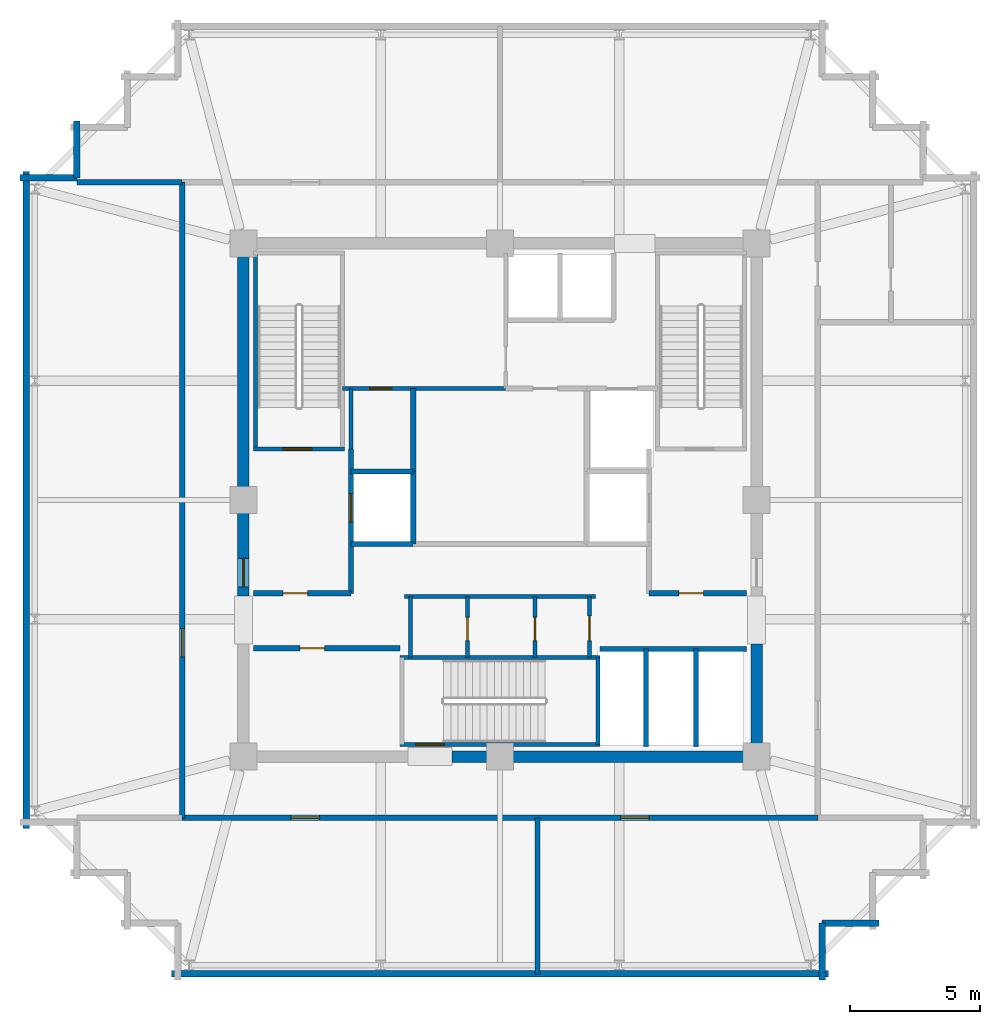
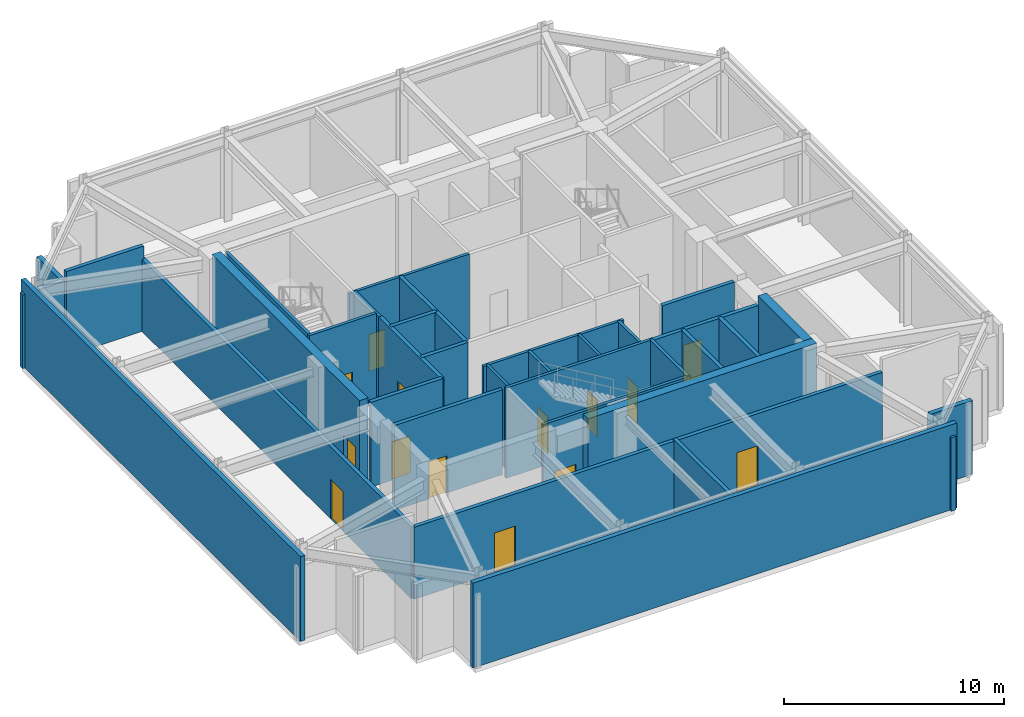
# One storey, part 2 of 5: 36 walls, 14 doors, 14 openings.
"""IFC4 building model written with IfcOpenShell, lengths in metres."""

from ifc_helpers import new_model, si_unit, direction, frame, frame_2d, origin, place, context, subcontext, project, spatial, rectangle, extrude, material, layer, layer_set, type_object, element, fill, save


model = new_model("IFC4")

# Units and contexts
model_context = context("Model", 3, precision=1e-05, world=origin(), true_north=direction((0.0, 1.0)))
body_context = subcontext(model_context, "Body", "Model", "MODEL_VIEW")
ifc_project = project(units=[si_unit("LENGTHUNIT", "METRE"), si_unit("AREAUNIT", "SQUARE_METRE"), si_unit("VOLUMEUNIT", "CUBIC_METRE"), si_unit("PLANEANGLEUNIT", "RADIAN"), si_unit("MASSUNIT", "GRAM", prefix="KILO")], contexts=[model_context])

# Site, building, storey
site_placement = place(None, origin())
site = spatial("IfcSite", under=ifc_project, at=site_placement, CompositionType="ELEMENT")
building_placement = place(site_placement, origin())
building = spatial("IfcBuilding", under=site, at=building_placement, Name="Kolvaren Belvedere", CompositionType="ELEMENT")
storey_placement = place(building_placement, frame((0.0, 0.0, 272.39990234375)))
storey = spatial("IfcBuildingStorey", under=building, at=storey_placement, Name="L78", CompositionType="ELEMENT", Elevation=272.39990234375)

# Walls
ifc_material_1 = material(Name="Concrete C50/60", Category="concrete")
ifc_layer_1 = layer(ifc_material_1, 0.449951171875)
ifc_layer_set_1 = layer_set([ifc_layer_1], Name="Concrete C50/60")
wall_type_1 = type_object("IfcWallType", Name="CW-CORE-450", PredefinedType="SHEAR", material=ifc_layer_set_1)
wall_1_placement = place(storey_placement, frame((10.125, -9.89990234375, 0.0), z_axis=(0.0, 0.0, 1.0), x_axis=(-1.0, 0.0, 0.0)))
element("IfcWall", 1, at=wall_1_placement, inside=storey, type_object=wall_type_1, Name="L78 South Core Shear Wall 1", PredefinedType="SHEAR", context=body_context, shape_type="SweptSolid", body=[
    extrude(rectangle(XDim=11.985107421875, YDim=0.449951171875, at=frame_2d((5.99267578125, 0.0))), origin(), (0.0, 0.0, 1.0), 5.0),
])
wall_2_placement = place(storey_placement, frame((9.89990234375, -9.675048828125, 0.0), z_axis=(0.0, 0.0, 1.0), x_axis=(0.0, 1.0, 0.0)))
element("IfcWall", 2, at=wall_2_placement, inside=storey, type_object=wall_type_1, Name="L78 East Core Shear Wall 1", PredefinedType="SHEAR", context=body_context, shape_type="SweptSolid", body=[
    extrude(rectangle(XDim=4.125, YDim=0.449951171875, at=frame_2d((2.0625, 0.0))), origin(), (0.0, 0.0, 1.0), 5.0),
])

# Wall, opening, door
wall_3_placement = place(storey_placement, frame((-9.89990234375, -3.699951171875, 0.0), z_axis=(0.0, 0.0, 1.0), x_axis=(0.0, 1.0, 0.0)))
wall_3 = element("IfcWall", 3, at=wall_3_placement, inside=storey, type_object=wall_type_1, Name="L78 West Core Shear Wall 2", PredefinedType="SHEAR", context=body_context, shape_type="SweptSolid", body=[
    extrude(rectangle(XDim=13.375, YDim=0.449951171875, at=frame_2d((6.6875, 0.0))), origin(), (0.0, 0.0, 1.0), 5.0),
])
opening_1_placement = place(wall_3_placement, frame((0.35009765625, 0.0, 0.0)))
opening_1 = element("IfcOpeningElement", 4, at=opening_1_placement, cuts=wall_3, Name="Opening D-FD90", PredefinedType="OPENING", context=body_context, shape_type="SweptSolid", body=[
    extrude(rectangle(XDim=1.10009765625, YDim=2.199951171875, at=frame_2d((0.550048828125, 1.10009765625))), frame((0.0, 0.23486328125, 0.0), z_axis=(0.0, -1.0, 0.0), x_axis=(1.0, 0.0, 0.0)), (0.0, 0.0, 1.0), 0.469970703125),
])
ifc_material_2 = material(Name="Painted hollow stainless steel", Category="steel")
door_type_1 = type_object("IfcDoorType", Name="DR-FD90-1100", OperationType="NOTDEFINED", PredefinedType="DOOR", material=ifc_material_2)
door_1_placement = place(opening_1_placement, origin())
door_1 = element("IfcDoor", 5, at=door_1_placement, inside=storey, type_object=door_type_1, Name="L78 West Firefighting Lobby Fire Door", OperationType="SINGLE_SWING_LEFT", OverallHeight=2.199951171875, OverallWidth=1.10009765625, PredefinedType="DOOR", context=body_context, shape_type="SweptSolid", body=[
    extrude(rectangle(XDim=1.10009765625, YDim=2.199951171875, at=frame_2d((0.550048828125, 1.10009765625))), frame((0.0, 0.02490234375, 0.0), z_axis=(0.0, -1.0, 0.0), x_axis=(1.0, 0.0, 0.0)), (0.0, 0.0, 1.0), 0.050048828125),
])
fill(opening_1, door_1)

ifc_material_3 = material(Name="Concrete C50/60", Category="concrete")
ifc_layer_2 = layer(ifc_material_3, 0.159912109375)
ifc_layer_set_2 = layer_set([ifc_layer_2], Name="Concrete C50/60")
wall_type_2 = type_object("IfcWallType", Name="CW-STAIR-160", PredefinedType="SHEAR", material=ifc_layer_set_2)
wall_4_placement = place(storey_placement, frame((-9.52001953125, 1.969970703125, 0.0), z_axis=(0.0, 0.0, 1.0), x_axis=(1.0, 0.0, 0.0)))
wall_4 = element("IfcWall", 6, at=wall_4_placement, inside=storey, type_object=wall_type_2, Name="L78 Stair ST-1 South Shear Wall", PredefinedType="SHEAR", context=body_context, shape_type="SweptSolid", body=[
    extrude(rectangle(XDim=3.52001953125, YDim=0.159912109375, at=frame_2d((1.760009765625, 0.0))), origin(), (0.0, 0.0, 1.0), 5.0),
])
opening_2_placement = place(wall_4_placement, frame((1.14990234375, 0.0, 0.0)))
opening_2 = element("IfcOpeningElement", 7, at=opening_2_placement, cuts=wall_4, Name="Opening D-FD90", PredefinedType="OPENING", context=body_context, shape_type="SweptSolid", body=[
    extrude(rectangle(XDim=1.10009765625, YDim=2.199951171875, at=frame_2d((0.550048828125, 1.10009765625))), frame((0.0, 0.08984375, 0.0), z_axis=(0.0, -1.0, 0.0), x_axis=(1.0, 0.0, 0.0)), (0.0, 0.0, 1.0), 0.179931640625),
])
door_2_placement = place(opening_2_placement, origin())
door_2 = element("IfcDoor", 8, at=door_2_placement, inside=storey, type_object=door_type_1, Name="L78 Stair ST-1 Fire Door", OperationType="SINGLE_SWING_LEFT", OverallHeight=2.199951171875, OverallWidth=1.10009765625, PredefinedType="DOOR", context=body_context, shape_type="SweptSolid", body=[
    extrude(rectangle(XDim=1.10009765625, YDim=2.199951171875, at=frame_2d((0.550048828125, 1.10009765625))), frame((0.0, 0.02490234375, 0.0), z_axis=(0.0, -1.0, 0.0), x_axis=(1.0, 0.0, 0.0)), (0.0, 0.0, 1.0), 0.050048828125),
])
fill(opening_2, door_2)

# Wall
wall_5_placement = place(storey_placement, frame((-9.429931640625, 1.969970703125, 0.0), z_axis=(0.0, 0.0, 1.0), x_axis=(0.0, 1.0, 0.0)))
element("IfcWall", 9, at=wall_5_placement, inside=storey, type_object=wall_type_2, Name="L78 Stair ST-1 West Shear Wall", PredefinedType="SHEAR", context=body_context, shape_type="SweptSolid", body=[
    extrude(rectangle(XDim=7.56005859375, YDim=0.159912109375, at=frame_2d((3.780029296875, 0.0))), origin(), (0.0, 0.0, 1.0), 5.0),
])

# Wall, opening, door
wall_6_placement = place(storey_placement, frame((3.860107421875, -9.429931640625, 0.0), z_axis=(0.0, 0.0, 1.0), x_axis=(-1.0, 0.0, 0.0)))
wall_6 = element("IfcWall", 10, at=wall_6_placement, inside=storey, type_object=wall_type_2, Name="L78 Stair ST-3 South Shear Wall", PredefinedType="SHEAR", context=body_context, shape_type="SweptSolid", body=[
    extrude(rectangle(XDim=7.72021484375, YDim=0.159912109375, at=frame_2d((3.860107421875, 0.0))), origin(), (0.0, 0.0, 1.0), 5.0),
])
opening_3_placement = place(wall_6_placement, frame((6.010009765625, 0.0, 0.0)))
opening_3 = element("IfcOpeningElement", 11, at=opening_3_placement, cuts=wall_6, Name="Opening D-FD90", PredefinedType="OPENING", context=body_context, shape_type="SweptSolid", body=[
    extrude(rectangle(XDim=1.10009765625, YDim=2.199951171875, at=frame_2d((0.550048828125, 1.10009765625))), frame((0.0, 0.08984375, 0.0), z_axis=(0.0, -1.0, 0.0), x_axis=(1.0, 0.0, 0.0)), (0.0, 0.0, 1.0), 0.179931640625),
])
door_3_placement = place(opening_3_placement, origin())
door_3 = element("IfcDoor", 12, at=door_3_placement, inside=storey, type_object=door_type_1, Name="L78 Stair ST-3 Exit Door", OperationType="SINGLE_SWING_RIGHT", OverallHeight=2.199951171875, OverallWidth=1.10009765625, PredefinedType="DOOR", context=body_context, shape_type="SweptSolid", body=[
    extrude(rectangle(XDim=1.10009765625, YDim=2.199951171875, at=frame_2d((0.550048828125, 1.10009765625))), frame((0.0, 0.02490234375, 0.0), z_axis=(0.0, -1.0, 0.0), x_axis=(1.0, 0.0, 0.0)), (0.0, 0.0, 1.0), 0.050048828125),
])
fill(opening_3, door_3)

# Walls
wall_7_placement = place(storey_placement, frame((-3.860107421875, -6.080078125, 0.0), z_axis=(0.0, 0.0, 1.0), x_axis=(1.0, 0.0, 0.0)))
element("IfcWall", 13, at=wall_7_placement, inside=storey, type_object=wall_type_2, Name="L78 Stair ST-3 North Shear Wall", PredefinedType="SHEAR", context=body_context, shape_type="SweptSolid", body=[
    extrude(rectangle(XDim=7.72021484375, YDim=0.159912109375, at=frame_2d((3.860107421875, 0.0))), origin(), (0.0, 0.0, 1.0), 5.0),
])
wall_8_placement = place(storey_placement, frame((3.780029296875, -9.429931640625, 0.0), z_axis=(0.0, 0.0, 1.0), x_axis=(0.0, 1.0, 0.0)))
element("IfcWall", 14, at=wall_8_placement, inside=storey, type_object=wall_type_2, Name="L78 Stair ST-3 East Shear Wall", PredefinedType="SHEAR", context=body_context, shape_type="SweptSolid", body=[
    extrude(rectangle(XDim=3.349853515625, YDim=0.159912109375, at=frame_2d((1.6748046875, 0.0))), origin(), (0.0, 0.0, 1.0), 5.0),
])
ifc_material_4 = material(Name="Insulated acoustic pale-metal louvre wall", Category="aluminium")
ifc_layer_3 = layer(ifc_material_4, 0.239990234375)
ifc_layer_set_3 = layer_set([ifc_layer_3], Name="Insulated acoustic pale-metal louvre wall")
wall_type_3 = type_object("IfcWallType", Name="WL-LOUV-240", PredefinedType="STANDARD", material=ifc_layer_set_3)
wall_9_placement = place(storey_placement, frame((12.669921875, -18.280029296875, 0.0), z_axis=(0.0, 0.0, 1.0), x_axis=(-1.0, 0.0, 0.0)))
element("IfcWall", 15, at=wall_9_placement, inside=storey, type_object=wall_type_3, Name="L78 Acoustic Louvre Facade Wall 1", PredefinedType="STANDARD", context=body_context, shape_type="SweptSolid", body=[
    extrude(rectangle(XDim=25.33984375, YDim=0.239990234375, at=frame_2d((12.669921875, 0.0))), origin(), (0.0, 0.0, 1.0), 4.7001953125),
])
wall_10_placement = place(storey_placement, frame((12.429931640625, -16.330078125, 0.0), z_axis=(0.0, 0.0, 1.0), x_axis=(0.0, -1.0, 0.0)))
element("IfcWall", 16, at=wall_10_placement, inside=storey, type_object=wall_type_3, Name="L78 Acoustic Louvre Facade Wall 2", PredefinedType="STANDARD", context=body_context, shape_type="SweptSolid", body=[
    extrude(rectangle(XDim=2.18994140625, YDim=0.239990234375, at=frame_2d((1.094970703125, 0.0))), origin(), (0.0, 0.0, 1.0), 4.0830078125),
])
for number, where, z_axis, x_axis, name in (
    (17, (14.6201171875, -16.330078125, 0.0), (0.0, 0.0, 1.0), (-1.0, 0.0, 0.0), "L78 Acoustic Louvre Facade Wall 3"),
    (18, (-16.330078125, 12.429931640625, 0.0), (0.0, 0.0, 1.0), (0.0, 1.0, 0.0), "L78 Acoustic Louvre Facade Wall 20"),
):
    element("IfcWall", number, at=place(storey_placement, frame(where, z_axis=z_axis, x_axis=x_axis)), inside=storey, type_object=wall_type_3, Name=name, PredefinedType="STANDARD", context=body_context, shape_type="SweptSolid", body=[
        extrude(rectangle(XDim=2.190185546875, YDim=0.239990234375, at=frame_2d((1.09521484375, 0.0))), origin(), (0.0, 0.0, 1.0), 4.0830078125),
    ])
wall_11_placement = place(storey_placement, frame((-18.52001953125, 12.429931640625, 0.0), z_axis=(0.0, 0.0, 1.0), x_axis=(1.0, 0.0, 0.0)))
element("IfcWall", 19, at=wall_11_placement, inside=storey, type_object=wall_type_3, Name="L78 Acoustic Louvre Facade Wall 21", PredefinedType="STANDARD", context=body_context, shape_type="SweptSolid", body=[
    extrude(rectangle(XDim=2.18994140625, YDim=0.239990234375, at=frame_2d((1.094970703125, 0.0))), origin(), (0.0, 0.0, 1.0), 4.0830078125),
])
wall_12_placement = place(storey_placement, frame((-18.280029296875, -12.669921875, 0.0), z_axis=(0.0, 0.0, 1.0), x_axis=(0.0, 1.0, 0.0)))
element("IfcWall", 20, at=wall_12_placement, inside=storey, type_object=wall_type_3, Name="L78 Acoustic Louvre Facade Wall 22", PredefinedType="STANDARD", context=body_context, shape_type="SweptSolid", body=[
    extrude(rectangle(XDim=25.33984375, YDim=0.239990234375, at=frame_2d((12.669921875, 0.0))), origin(), (0.0, 0.0, 1.0), 4.7001953125),
])

# Wall, opening, door
ifc_material_5 = material(Name="Gypsum acoustic partition assembly", Category="gypsum")
ifc_layer_4 = layer(ifc_material_5, 0.14990234375)
ifc_layer_set_4 = layer_set([ifc_layer_4], Name="Gypsum acoustic partition assembly")
wall_type_4 = type_object("IfcWallType", Name="WL-PART-150", PredefinedType="PARTITIONING", material=ifc_layer_set_4)
wall_13_placement = place(storey_placement, frame((-6.080078125, 4.300048828125, 0.0), z_axis=(0.0, 0.0, 1.0), x_axis=(1.0, 0.0, 0.0)))
wall_13 = element("IfcWall", 21, at=wall_13_placement, inside=storey, type_object=wall_type_4, Name="L78 Reclaimed Salon South Wall", PredefinedType="PARTITIONING", context=body_context, shape_type="SweptSolid", body=[
    extrude(rectangle(XDim=6.300048828125, YDim=0.14990234375, at=frame_2d((3.14990234375, 0.0))), origin(), (0.0, 0.0, 1.0), 4.7001953125),
])
opening_4_placement = place(wall_13_placement, frame((1.050048828125, 0.0, 0.0)))
opening_4 = element("IfcOpeningElement", 22, at=opening_4_placement, cuts=wall_13, Name="Opening D-INT85", PredefinedType="OPENING", context=body_context, shape_type="SweptSolid", body=[
    extrude(rectangle(XDim=0.85009765625, YDim=2.030029296875, at=frame_2d((0.425048828125, 1.01513671875))), frame((0.0, 0.0849609375, 0.0), z_axis=(0.0, -1.0, 0.0), x_axis=(1.0, 0.0, 0.0)), (0.0, 0.0, 1.0), 0.169921875),
])
ifc_material_6 = material(Name="Stained Pacific white oak", Category="timber")
door_type_2 = type_object("IfcDoorType", Name="DR-INT-850", OperationType="NOTDEFINED", PredefinedType="DOOR", material=ifc_material_6)
door_4_placement = place(opening_4_placement, origin())
door_4 = element("IfcDoor", 23, at=door_4_placement, inside=storey, type_object=door_type_2, Name="L78 NW Core Store Door", OperationType="SINGLE_SWING_RIGHT", OverallHeight=2.030029296875, OverallWidth=0.85009765625, PredefinedType="DOOR", context=body_context, shape_type="SweptSolid", body=[
    extrude(rectangle(XDim=0.85009765625, YDim=2.030029296875, at=frame_2d((0.425048828125, 1.01513671875))), frame((0.0, 0.02490234375, 0.0), z_axis=(0.0, -1.0, 0.0), x_axis=(1.0, 0.0, 0.0)), (0.0, 0.0, 1.0), 0.050048828125),
])
fill(opening_4, door_4)

# Wall
wall_14_placement = place(storey_placement, frame((-3.679931640625, -3.719970703125, 0.0), z_axis=(0.0, 0.0, 1.0), x_axis=(1.0, 0.0, 0.0)))
element("IfcWall", 24, at=wall_14_placement, inside=storey, type_object=wall_type_4, Name="L78 South Core Service North Wall", PredefinedType="PARTITIONING", context=body_context, shape_type="SweptSolid", body=[
    extrude(rectangle(XDim=7.35986328125, YDim=0.14990234375, at=frame_2d((3.679931640625, 0.0))), origin(), (0.0, 0.0, 1.0), 4.7001953125),
])

# Wall, opening, door
wall_15_placement = place(storey_placement, frame((3.449951171875, -6.080078125, 0.0), z_axis=(0.0, 0.0, 1.0), x_axis=(0.0, 1.0, 0.0)))
wall_15 = element("IfcWall", 25, at=wall_15_placement, inside=storey, type_object=wall_type_4, Name="L78 South Core Service East Wall", PredefinedType="PARTITIONING", context=body_context, shape_type="SweptSolid", body=[
    extrude(rectangle(XDim=2.360107421875, YDim=0.14990234375, at=frame_2d((1.18017578125, 0.0))), origin(), (0.0, 0.0, 1.0), 4.7001953125),
])
opening_5_placement = place(wall_15_placement, frame((0.64990234375, 0.0, 0.0)))
opening_5 = element("IfcOpeningElement", 26, at=opening_5_placement, cuts=wall_15, Name="Opening D-FD60", PredefinedType="OPENING", context=body_context, shape_type="SweptSolid", body=[
    extrude(rectangle(XDim=0.949951171875, YDim=2.06005859375, at=frame_2d((0.47509765625, 1.030029296875))), frame((0.0, 0.0849609375, 0.0), z_axis=(0.0, -1.0, 0.0), x_axis=(1.0, 0.0, 0.0)), (0.0, 0.0, 1.0), 0.169921875),
])
ifc_material_7 = material(Name="Acoustic white-oak fire door leaf", Category="timber")
door_type_3 = type_object("IfcDoorType", Name="DR-FD60-950", OperationType="NOTDEFINED", PredefinedType="DOOR", material=ifc_material_7)
door_5_placement = place(opening_5_placement, origin())
door_5 = element("IfcDoor", 27, at=door_5_placement, inside=storey, type_object=door_type_3, Name="L78 Core Service Room Door", OperationType="SINGLE_SWING_LEFT", OverallHeight=2.06005859375, OverallWidth=0.949951171875, PredefinedType="DOOR", context=body_context, shape_type="SweptSolid", body=[
    extrude(rectangle(XDim=0.949951171875, YDim=2.06005859375, at=frame_2d((0.47509765625, 1.030029296875))), frame((0.0, 0.02490234375, 0.0), z_axis=(0.0, -1.0, 0.0), x_axis=(1.0, 0.0, 0.0)), (0.0, 0.0, 1.0), 0.050048828125),
])
fill(opening_5, door_5)

# Wall
wall_16_placement = place(storey_placement, frame((-3.449951171875, -6.080078125, 0.0), z_axis=(0.0, 0.0, 1.0), x_axis=(0.0, 1.0, 0.0)))
element("IfcWall", 28, at=wall_16_placement, inside=storey, type_object=wall_type_4, Name="L78 South Core Service West Wall", PredefinedType="PARTITIONING", context=body_context, shape_type="SweptSolid", body=[
    extrude(rectangle(XDim=2.360107421875, YDim=0.14990234375, at=frame_2d((1.18017578125, 0.0))), origin(), (0.0, 0.0, 1.0), 4.7001953125),
])

# Wall, opening, door
wall_17_placement = place(storey_placement, frame((1.35009765625, -6.080078125, 0.0), z_axis=(0.0, 0.0, 1.0), x_axis=(0.0, 1.0, 0.0)))
wall_17 = element("IfcWall", 29, at=wall_17_placement, inside=storey, type_object=wall_type_4, Name="L78 Core Service Divider 1", PredefinedType="PARTITIONING", context=body_context, shape_type="SweptSolid", body=[
    extrude(rectangle(XDim=2.360107421875, YDim=0.14990234375, at=frame_2d((1.18017578125, 0.0))), origin(), (0.0, 0.0, 1.0), 4.7001953125),
])
opening_6_placement = place(wall_17_placement, frame((0.64990234375, 0.0, 0.0)))
opening_6 = element("IfcOpeningElement", 30, at=opening_6_placement, cuts=wall_17, Name="Opening D-INT90", PredefinedType="OPENING", context=body_context, shape_type="SweptSolid", body=[
    extrude(rectangle(XDim=0.89990234375, YDim=2.06005859375, at=frame_2d((0.449951171875, 1.030029296875))), frame((0.0, 0.0849609375, 0.0), z_axis=(0.0, -1.0, 0.0), x_axis=(1.0, 0.0, 0.0)), (0.0, 0.0, 1.0), 0.169921875),
])
ifc_material_8 = material(Name="Stained Pacific white oak", Category="timber")
door_type_4 = type_object("IfcDoorType", Name="DR-INT-900", OperationType="NOTDEFINED", PredefinedType="DOOR", material=ifc_material_8)
door_6_placement = place(opening_6_placement, origin())
door_6 = element("IfcDoor", 31, at=door_6_placement, inside=storey, type_object=door_type_4, Name="L78 Data Closet Door", OperationType="SINGLE_SWING_RIGHT", OverallHeight=2.06005859375, OverallWidth=0.89990234375, PredefinedType="DOOR", context=body_context, shape_type="SweptSolid", body=[
    extrude(rectangle(XDim=0.89990234375, YDim=2.06005859375, at=frame_2d((0.449951171875, 1.030029296875))), frame((0.0, 0.02490234375, 0.0), z_axis=(0.0, -1.0, 0.0), x_axis=(1.0, 0.0, 0.0)), (0.0, 0.0, 1.0), 0.050048828125),
])
fill(opening_6, door_6)

wall_18_placement = place(storey_placement, frame((-1.25, -6.080078125, 0.0), z_axis=(0.0, 0.0, 1.0), x_axis=(0.0, 1.0, 0.0)))
wall_18 = element("IfcWall", 32, at=wall_18_placement, inside=storey, type_object=wall_type_4, Name="L78 Core Service Divider 2", PredefinedType="PARTITIONING", context=body_context, shape_type="SweptSolid", body=[
    extrude(rectangle(XDim=2.360107421875, YDim=0.14990234375, at=frame_2d((1.18017578125, 0.0))), origin(), (0.0, 0.0, 1.0), 4.7001953125),
])
opening_7_placement = place(wall_18_placement, frame((0.64990234375, 0.0, 0.0)))
opening_7 = element("IfcOpeningElement", 33, at=opening_7_placement, cuts=wall_18, Name="Opening D-INT90", PredefinedType="OPENING", context=body_context, shape_type="SweptSolid", body=[
    extrude(rectangle(XDim=0.89990234375, YDim=2.06005859375, at=frame_2d((0.449951171875, 1.030029296875))), frame((0.0, 0.0849609375, 0.0), z_axis=(0.0, -1.0, 0.0), x_axis=(1.0, 0.0, 0.0)), (0.0, 0.0, 1.0), 0.169921875),
])
door_7_placement = place(opening_7_placement, origin())
door_7 = element("IfcDoor", 34, at=door_7_placement, inside=storey, type_object=door_type_4, Name="L78 Janitor Room Door", OperationType="SINGLE_SWING_LEFT", OverallHeight=2.06005859375, OverallWidth=0.89990234375, PredefinedType="DOOR", context=body_context, shape_type="SweptSolid", body=[
    extrude(rectangle(XDim=0.89990234375, YDim=2.06005859375, at=frame_2d((0.449951171875, 1.030029296875))), frame((0.0, 0.02490234375, 0.0), z_axis=(0.0, -1.0, 0.0), x_axis=(1.0, 0.0, 0.0)), (0.0, 0.0, 1.0), 0.050048828125),
])
fill(opening_7, door_7)

# Wall
wall_19_placement = place(storey_placement, frame((-5.75, 1.969970703125, 0.0), z_axis=(0.0, 0.0, 1.0), x_axis=(0.0, 1.0, 0.0)))
element("IfcWall", 35, at=wall_19_placement, inside=storey, type_object=wall_type_4, Name="L78 NW Service Room West Wall", PredefinedType="PARTITIONING", context=body_context, shape_type="SweptSolid", body=[
    extrude(rectangle(XDim=2.330078125, YDim=0.14990234375, at=frame_2d((1.1650390625, 0.0))), origin(), (0.0, 0.0, 1.0), 4.7001953125),
])

# Wall, opening, door
ifc_material_9 = material(Name="Concrete C50/60", Category="concrete")
ifc_layer_5 = layer(ifc_material_9, 0.199951171875)
ifc_layer_set_5 = layer_set([ifc_layer_5], Name="Concrete C50/60")
wall_type_5 = type_object("IfcWallType", Name="WL-SHAFT-200", PredefinedType="SOLIDWALL", material=ifc_layer_set_5)
wall_20_placement = place(storey_placement, frame((-9.52001953125, -3.60009765625, 0.0), z_axis=(0.0, 0.0, 1.0), x_axis=(1.0, 0.0, 0.0)))
wall_20 = element("IfcWall", 36, at=wall_20_placement, inside=storey, type_object=wall_type_5, Name="L78 West FSAE Lobby South Wall", PredefinedType="SOLIDWALL", context=body_context, shape_type="SweptSolid", body=[
    extrude(rectangle(XDim=3.77001953125, YDim=0.199951171875, at=frame_2d((1.885009765625, 0.0))), origin(), (0.0, 0.0, 1.0), 4.7001953125),
])
opening_8_placement = place(wall_20_placement, frame((1.14990234375, 0.0, 0.0)))
opening_8 = element("IfcOpeningElement", 37, at=opening_8_placement, cuts=wall_20, Name="Opening D-FD60", PredefinedType="OPENING", context=body_context, shape_type="SweptSolid", body=[
    extrude(rectangle(XDim=0.949951171875, YDim=2.06005859375, at=frame_2d((0.47509765625, 1.030029296875))), frame((0.0, 0.10986328125, 0.0), z_axis=(0.0, -1.0, 0.0), x_axis=(1.0, 0.0, 0.0)), (0.0, 0.0, 1.0), 0.219970703125),
])
door_8_placement = place(opening_8_placement, origin())
door_8 = element("IfcDoor", 38, at=door_8_placement, inside=storey, type_object=door_type_3, Name="L78 SW Lobby Fire Door", OperationType="SINGLE_SWING_LEFT", OverallHeight=2.06005859375, OverallWidth=0.949951171875, PredefinedType="DOOR", context=body_context, shape_type="SweptSolid", body=[
    extrude(rectangle(XDim=0.949951171875, YDim=2.06005859375, at=frame_2d((0.47509765625, 1.030029296875))), frame((0.0, 0.02490234375, 0.0), z_axis=(0.0, -1.0, 0.0), x_axis=(1.0, 0.0, 0.0)), (0.0, 0.0, 1.0), 0.050048828125),
])
fill(opening_8, door_8)

wall_21_placement = place(storey_placement, frame((-5.75, -3.60009765625, 0.0), z_axis=(0.0, 0.0, 1.0), x_axis=(0.0, 1.0, 0.0)))
wall_21 = element("IfcWall", 39, at=wall_21_placement, inside=storey, type_object=wall_type_5, Name="L78 FSAE FS1 Landing Wall", PredefinedType="SOLIDWALL", context=body_context, shape_type="SweptSolid", body=[
    extrude(rectangle(XDim=5.570068359375, YDim=0.199951171875, at=frame_2d((2.78515625, 0.0))), origin(), (0.0, 0.0, 1.0), 4.7001953125),
])
opening_9_placement = place(wall_21_placement, frame((2.75, 0.0, 0.0)))
opening_9 = element("IfcOpeningElement", 40, at=opening_9_placement, cuts=wall_21, Name="Opening LD-11", PredefinedType="OPENING", context=body_context, shape_type="SweptSolid", body=[
    extrude(rectangle(XDim=1.10009765625, YDim=2.199951171875, at=frame_2d((0.550048828125, 1.10009765625))), frame((0.0, 0.10986328125, 0.0), z_axis=(0.0, -1.0, 0.0), x_axis=(1.0, 0.0, 0.0)), (0.0, 0.0, 1.0), 0.219970703125),
])
ifc_material_10 = material(Name="Brushed stainless steel", Category="steel")
door_type_5 = type_object("IfcDoorType", Name="DR-LIFT-1100", OperationType="DOUBLE_DOOR_SLIDING", PredefinedType="DOOR", material=ifc_material_10)
door_9_placement = place(opening_9_placement, origin())
door_9 = element("IfcDoor", 41, at=door_9_placement, inside=storey, type_object=door_type_5, Name="L78 Firefighting Lift FS1 Landing Door", OperationType="DOUBLE_DOOR_SLIDING", OverallHeight=2.199951171875, OverallWidth=1.10009765625, PredefinedType="DOOR", context=body_context, shape_type="SweptSolid", body=[
    extrude(rectangle(XDim=1.10009765625, YDim=2.199951171875, at=frame_2d((0.550048828125, 1.10009765625))), frame((0.0, 0.02490234375, 0.0), z_axis=(0.0, -1.0, 0.0), x_axis=(1.0, 0.0, 0.0)), (0.0, 0.0, 1.0), 0.050048828125),
])
fill(opening_9, door_9)

# Walls
wall_22_placement = place(storey_placement, frame((-3.35009765625, -1.699951171875, 0.0), z_axis=(0.0, 0.0, 1.0), x_axis=(0.0, 1.0, 0.0)))
element("IfcWall", 42, at=wall_22_placement, inside=storey, type_object=wall_type_5, Name="L78 FSAE FS1 Back Wall", PredefinedType="SOLIDWALL", context=body_context, shape_type="SweptSolid", body=[
    extrude(rectangle(XDim=2.800048828125, YDim=0.199951171875, at=frame_2d((1.39990234375, 0.0))), origin(), (0.0, 0.0, 1.0), 4.7001953125),
])
for number, where, z_axis, x_axis, name in (
    (43, (-5.75, -1.699951171875, 0.0), (0.0, 0.0, 1.0), (1.0, 0.0, 0.0), "L78 FSAE FS1 South Wall"),
    (44, (-5.75, 1.10009765625, 0.0), (0.0, 0.0, 1.0), (1.0, 0.0, 0.0), "L78 FSAE FS1 North Wall"),
):
    element("IfcWall", number, at=place(storey_placement, frame(where, z_axis=z_axis, x_axis=x_axis)), inside=storey, type_object=wall_type_5, Name=name, PredefinedType="SOLIDWALL", context=body_context, shape_type="SweptSolid", body=[
        extrude(rectangle(XDim=2.39990234375, YDim=0.199951171875, at=frame_2d((1.199951171875, 0.0))), origin(), (0.0, 0.0, 1.0), 4.7001953125),
    ])

# Wall, opening, door
wall_23_placement = place(storey_placement, frame((5.75, -3.60009765625, 0.0), z_axis=(0.0, 0.0, 1.0), x_axis=(1.0, 0.0, 0.0)))
wall_23 = element("IfcWall", 45, at=wall_23_placement, inside=storey, type_object=wall_type_5, Name="L78 East FSAE Lobby South Wall", PredefinedType="SOLIDWALL", context=body_context, shape_type="SweptSolid", body=[
    extrude(rectangle(XDim=3.77001953125, YDim=0.199951171875, at=frame_2d((1.885009765625, 0.0))), origin(), (0.0, 0.0, 1.0), 4.7001953125),
])
opening_10_placement = place(wall_23_placement, frame((1.14990234375, 0.0, 0.0)))
opening_10 = element("IfcOpeningElement", 46, at=opening_10_placement, cuts=wall_23, Name="Opening D-FD60", PredefinedType="OPENING", context=body_context, shape_type="SweptSolid", body=[
    extrude(rectangle(XDim=0.949951171875, YDim=2.06005859375, at=frame_2d((0.47509765625, 1.030029296875))), frame((0.0, 0.10986328125, 0.0), z_axis=(0.0, -1.0, 0.0), x_axis=(1.0, 0.0, 0.0)), (0.0, 0.0, 1.0), 0.219970703125),
])
door_10_placement = place(opening_10_placement, origin())
door_10 = element("IfcDoor", 47, at=door_10_placement, inside=storey, type_object=door_type_3, Name="L78 SE Lift Lobby Fire Door", OperationType="SINGLE_SWING_RIGHT", OverallHeight=2.06005859375, OverallWidth=0.949951171875, PredefinedType="DOOR", context=body_context, shape_type="SweptSolid", body=[
    extrude(rectangle(XDim=0.949951171875, YDim=2.06005859375, at=frame_2d((0.47509765625, 1.030029296875))), frame((0.0, 0.02490234375, 0.0), z_axis=(0.0, -1.0, 0.0), x_axis=(1.0, 0.0, 0.0)), (0.0, 0.0, 1.0), 0.050048828125),
])
fill(opening_10, door_10)

wall_24_placement = place(storey_placement, frame((-9.52001953125, -5.719970703125, 0.0), z_axis=(0.0, 0.0, 1.0), x_axis=(1.0, 0.0, 0.0)))
wall_24 = element("IfcWall", 48, at=wall_24_placement, inside=storey, type_object=wall_type_5, Name="L78 Reclaimed Mid Room North Wall", PredefinedType="SOLIDWALL", context=body_context, shape_type="SweptSolid", body=[
    extrude(rectangle(XDim=5.659912109375, YDim=0.199951171875, at=frame_2d((2.830078125, 0.0))), origin(), (0.0, 0.0, 1.0), 4.7001953125),
])
opening_11_placement = place(wall_24_placement, frame((1.800048828125, 0.0, 0.0)))
opening_11 = element("IfcOpeningElement", 49, at=opening_11_placement, cuts=wall_24, Name="Opening D-FD60", PredefinedType="OPENING", context=body_context, shape_type="SweptSolid", body=[
    extrude(rectangle(XDim=0.949951171875, YDim=2.06005859375, at=frame_2d((0.47509765625, 1.030029296875))), frame((0.0, 0.10986328125, 0.0), z_axis=(0.0, -1.0, 0.0), x_axis=(1.0, 0.0, 0.0)), (0.0, 0.0, 1.0), 0.219970703125),
])
door_11_placement = place(opening_11_placement, origin())
door_11 = element("IfcDoor", 50, at=door_11_placement, inside=storey, type_object=door_type_3, Name="L78 Smoke Control Mechanical Plant Entry Door", OperationType="SINGLE_SWING_LEFT", OverallHeight=2.06005859375, OverallWidth=0.949951171875, PredefinedType="DOOR", context=body_context, shape_type="SweptSolid", body=[
    extrude(rectangle(XDim=0.949951171875, YDim=2.06005859375, at=frame_2d((0.47509765625, 1.030029296875))), frame((0.0, 0.02490234375, 0.0), z_axis=(0.0, -1.0, 0.0), x_axis=(1.0, 0.0, 0.0)), (0.0, 0.0, 1.0), 0.050048828125),
])
fill(opening_11, door_11)

# Walls
wall_25_placement = place(storey_placement, frame((3.860107421875, -5.75, 0.0), z_axis=(0.0, 0.0, 1.0), x_axis=(1.0, 0.0, 0.0)))
element("IfcWall", 51, at=wall_25_placement, inside=storey, type_object=wall_type_5, Name="L78 High-Rise Lift Bank Front Wall", PredefinedType="SOLIDWALL", context=body_context, shape_type="SweptSolid", body=[
    extrude(rectangle(XDim=5.659912109375, YDim=0.199951171875, at=frame_2d((2.830078125, 0.0))), origin(), (0.0, 0.0, 1.0), 4.7001953125),
])
for number, where, z_axis, x_axis, name in (
    (52, (5.6298828125, -9.52001953125, 0.0), (0.0, 0.0, 1.0), (0.0, 1.0, 0.0), "L78 High-Rise Hoistway Divider 1"),
    (53, (7.56005859375, -9.52001953125, 0.0), (0.0, 0.0, 1.0), (0.0, 1.0, 0.0), "L78 High-Rise Hoistway Divider 2"),
):
    element("IfcWall", number, at=place(storey_placement, frame(where, z_axis=z_axis, x_axis=x_axis)), inside=storey, type_object=wall_type_5, Name=name, PredefinedType="SOLIDWALL", context=body_context, shape_type="SweptSolid", body=[
        extrude(rectangle(XDim=3.77001953125, YDim=0.199951171875, at=frame_2d((1.885009765625, 0.0))), origin(), (0.0, 0.0, 1.0), 4.7001953125),
    ])
wall_26_placement = place(storey_placement, frame((-3.35009765625, 1.10009765625, 0.0), z_axis=(0.0, 0.0, 1.0), x_axis=(0.0, 1.0, 0.0)))
element("IfcWall", 54, at=wall_26_placement, inside=storey, type_object=wall_type_5, Name="L78 Central Core Room West Wall", PredefinedType="SOLIDWALL", context=body_context, shape_type="SweptSolid", body=[
    extrude(rectangle(XDim=3.199951171875, YDim=0.199951171875, at=frame_2d((1.60009765625, 0.0))), origin(), (0.0, 0.0, 1.0), 4.7001953125),
])

# Wall, openings, doors
wall_27_placement = place(storey_placement, frame((-12.260009765625, -12.260009765625, 0.0), z_axis=(0.0, 0.0, 1.0), x_axis=(1.0, 0.0, 0.0)))
wall_27 = element("IfcWall", 55, at=wall_27_placement, inside=storey, type_object=wall_type_5, Name="L78 South Corridor Wall", PredefinedType="SOLIDWALL", context=body_context, shape_type="SweptSolid", body=[
    extrude(rectangle(XDim=24.52001953125, YDim=0.199951171875, at=frame_2d((12.260009765625, 0.0))), origin(), (0.0, 0.0, 1.0), 3.989013671875),
])
opening_12_placement = place(wall_27_placement, frame((4.199951171875, 0.0, 0.0)))
opening_12 = element("IfcOpeningElement", 56, at=opening_12_placement, cuts=wall_27, Name="Opening D-FD90", PredefinedType="OPENING", context=body_context, shape_type="SweptSolid", body=[
    extrude(rectangle(XDim=1.10009765625, YDim=2.199951171875, at=frame_2d((0.550048828125, 1.10009765625))), frame((0.0, 0.10986328125, 0.0), z_axis=(0.0, -1.0, 0.0), x_axis=(1.0, 0.0, 0.0)), (0.0, 0.0, 1.0), 0.219970703125),
])
opening_13_placement = place(wall_27_placement, frame((16.909912109375, 0.0, 0.0)))
opening_13 = element("IfcOpeningElement", 57, at=opening_13_placement, cuts=wall_27, Name="Opening D-FD90", PredefinedType="OPENING", context=body_context, shape_type="SweptSolid", body=[
    extrude(rectangle(XDim=1.10009765625, YDim=2.199951171875, at=frame_2d((0.550048828125, 1.10009765625))), frame((0.0, 0.10986328125, 0.0), z_axis=(0.0, -1.0, 0.0), x_axis=(1.0, 0.0, 0.0)), (0.0, 0.0, 1.0), 0.219970703125),
])
door_12_placement = place(opening_12_placement, origin())
door_12 = element("IfcDoor", 58, at=door_12_placement, inside=storey, type_object=door_type_1, Name="L78 Crown Heat-Recovery AHU Mechanical Plant Door", OperationType="SINGLE_SWING_LEFT", OverallHeight=2.199951171875, OverallWidth=1.10009765625, PredefinedType="DOOR", context=body_context, shape_type="SweptSolid", body=[
    extrude(rectangle(XDim=1.10009765625, YDim=2.199951171875, at=frame_2d((0.550048828125, 1.10009765625))), frame((0.0, 0.02490234375, 0.0), z_axis=(0.0, -1.0, 0.0), x_axis=(1.0, 0.0, 0.0)), (0.0, 0.0, 1.0), 0.050048828125),
])
fill(opening_12, door_12)
door_13_placement = place(opening_13_placement, origin())
door_13 = element("IfcDoor", 59, at=door_13_placement, inside=storey, type_object=door_type_1, Name="L78 Express Shuttle Hoistway Mechanical Plant Door", OperationType="SINGLE_SWING_RIGHT", OverallHeight=2.199951171875, OverallWidth=1.10009765625, PredefinedType="DOOR", context=body_context, shape_type="SweptSolid", body=[
    extrude(rectangle(XDim=1.10009765625, YDim=2.199951171875, at=frame_2d((0.550048828125, 1.10009765625))), frame((0.0, 0.02490234375, 0.0), z_axis=(0.0, -1.0, 0.0), x_axis=(1.0, 0.0, 0.0)), (0.0, 0.0, 1.0), 0.050048828125),
])
fill(opening_13, door_13)

# Wall, opening, door
wall_28_placement = place(storey_placement, frame((-12.260009765625, -12.260009765625, 0.0), z_axis=(0.0, 0.0, 1.0), x_axis=(0.0, 1.0, 0.0)))
wall_28 = element("IfcWall", 60, at=wall_28_placement, inside=storey, type_object=wall_type_5, Name="L78 West Corridor Wall", PredefinedType="SOLIDWALL", context=body_context, shape_type="SweptSolid", body=[
    extrude(rectangle(XDim=24.52001953125, YDim=0.199951171875, at=frame_2d((12.260009765625, 0.0))), origin(), (0.0, 0.0, 1.0), 3.989013671875),
])
opening_14_placement = place(wall_28_placement, frame((6.199951171875, 0.0, 0.0)))
opening_14 = element("IfcOpeningElement", 61, at=opening_14_placement, cuts=wall_28, Name="Opening D-FD90", PredefinedType="OPENING", context=body_context, shape_type="SweptSolid", body=[
    extrude(rectangle(XDim=1.10009765625, YDim=2.199951171875, at=frame_2d((0.550048828125, 1.10009765625))), frame((0.0, 0.10986328125, 0.0), z_axis=(0.0, -1.0, 0.0), x_axis=(1.0, 0.0, 0.0)), (0.0, 0.0, 1.0), 0.219970703125),
])
door_14_placement = place(opening_14_placement, origin())
door_14 = element("IfcDoor", 62, at=door_14_placement, inside=storey, type_object=door_type_1, Name="L78 High-Zone Break-Tank Mechanical Plant Door", OperationType="SINGLE_SWING_LEFT", OverallHeight=2.199951171875, OverallWidth=1.10009765625, PredefinedType="DOOR", context=body_context, shape_type="SweptSolid", body=[
    extrude(rectangle(XDim=1.10009765625, YDim=2.199951171875, at=frame_2d((0.550048828125, 1.10009765625))), frame((0.0, 0.02490234375, 0.0), z_axis=(0.0, -1.0, 0.0), x_axis=(1.0, 0.0, 0.0)), (0.0, 0.0, 1.0), 0.050048828125),
])
fill(opening_14, door_14)

# Walls
wall_29_placement = place(storey_placement, frame((-16.320068359375, 12.260009765625, 0.0), z_axis=(0.0, 0.0, 1.0), x_axis=(1.0, 0.0, 0.0)))
element("IfcWall", 63, at=wall_29_placement, inside=storey, type_object=wall_type_5, Name="L78 Sector Wall PW-L78-QNW", PredefinedType="SOLIDWALL", context=body_context, shape_type="SweptSolid", body=[
    extrude(rectangle(XDim=4.06005859375, YDim=0.199951171875, at=frame_2d((2.030029296875, 0.0))), origin(), (0.0, 0.0, 1.0), 4.7001953125),
])
wall_30_placement = place(storey_placement, frame((1.449951171875, -18.280029296875, 0.0), z_axis=(0.0, 0.0, 1.0), x_axis=(0.0, 1.0, 0.0)))
element("IfcWall", 64, at=wall_30_placement, inside=storey, type_object=wall_type_5, Name="L78 South Plant Divider", PredefinedType="SOLIDWALL", context=body_context, shape_type="SweptSolid", body=[
    extrude(rectangle(XDim=6.02001953125, YDim=0.199951171875, at=frame_2d((3.010009765625, 0.0))), origin(), (0.0, 0.0, 1.0), 4.072998046875),
])

save(model, "model.ifc")
